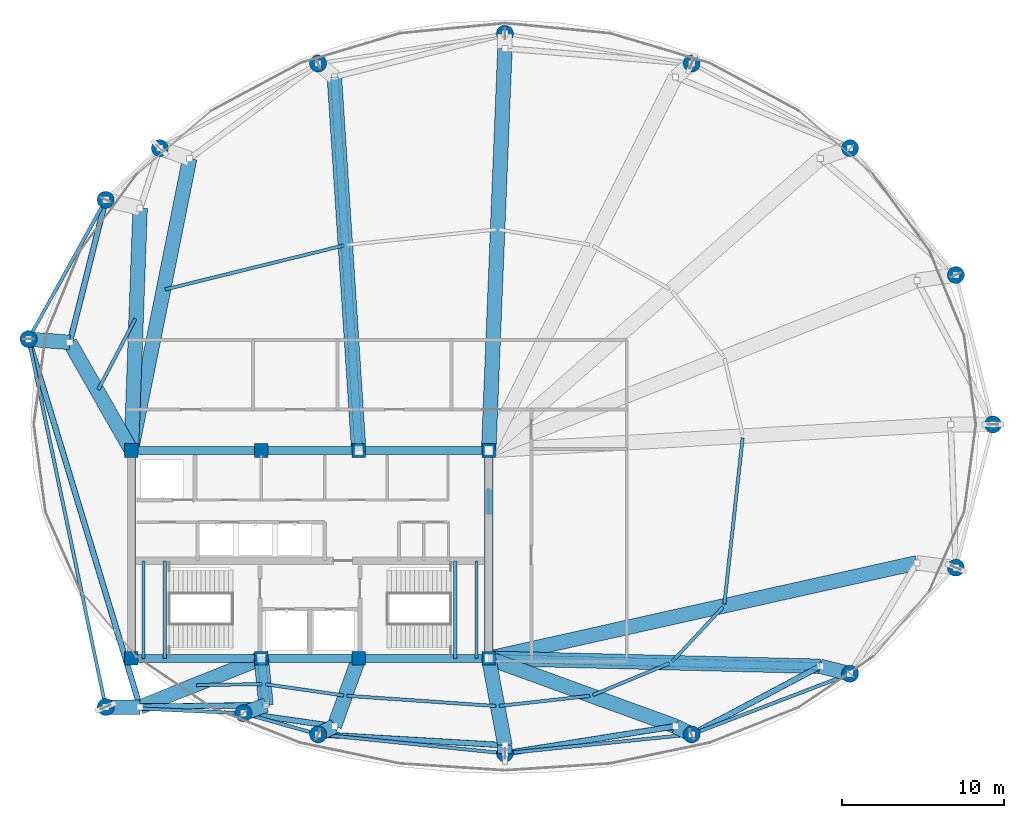
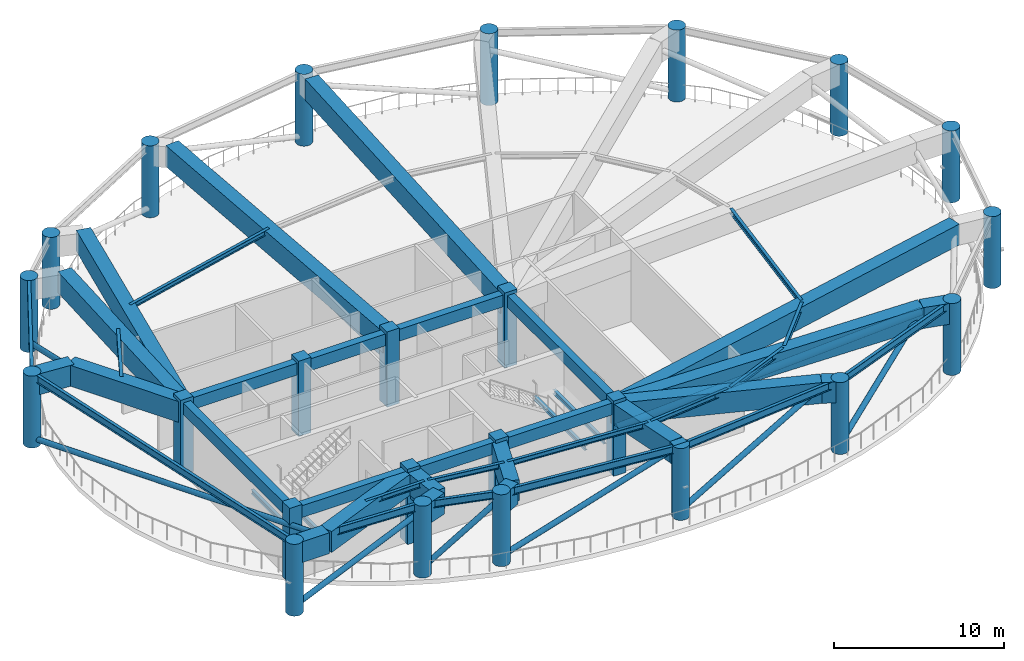
# One storey, part 1 of 9: 47 beams, 24 columns, 10 members.
"""IFC4 building model written with IfcOpenShell, lengths in metres."""

from ifc_helpers import new_model, si_unit, direction, frame, origin, origin_2d, place, context, subcontext, project, spatial, rectangle, circle, hollow_circle, i_section, extrude, material, material_profile, profile_set, type_object, element, save


model = new_model("IFC4")

# Units and contexts
model_context = context("Model", 3, precision=1e-05, world=origin(), true_north=direction((0.0, 1.0)))
body_context = subcontext(model_context, "Body", "Model", "MODEL_VIEW")
ifc_project = project(units=[si_unit("LENGTHUNIT", "METRE"), si_unit("AREAUNIT", "SQUARE_METRE"), si_unit("VOLUMEUNIT", "CUBIC_METRE"), si_unit("PLANEANGLEUNIT", "RADIAN"), si_unit("MASSUNIT", "GRAM", prefix="KILO")], contexts=[model_context])

# Site, building, storey
site_placement = place(None, origin())
site = spatial("IfcSite", under=ifc_project, at=site_placement, CompositionType="ELEMENT")
building_placement = place(site_placement, origin())
building = spatial("IfcBuilding", under=site, at=building_placement, Name="Kazevale Care Tower and Concert Hall", CompositionType="ELEMENT")
storey_placement = place(building_placement, frame((0.0, 0.0, 253.199951171875)))
storey = spatial("IfcBuildingStorey", under=building, at=storey_placement, Name="L67", CompositionType="ELEMENT", Elevation=253.199951171875)

# Columns
ifc_material_1 = material(Name="Concrete C50", Category="concrete")
ifc_material_profile_1 = material_profile(ifc_material_1, rectangle(XDim=0.85009765625, YDim=0.85009765625, at=origin_2d()), Name="RC-SQ850")
ifc_profile_set_1 = profile_set([ifc_material_profile_1], Name="Concrete C50")
column_type_1 = type_object("IfcColumnType", Name="Core Column SQ850 C50", PredefinedType="COLUMN", material=ifc_profile_set_1)
for number, where, z_axis, x_axis, name in (
    (1, (22.0, 23.60009765625, 0.0), (0.0, 0.0, 1.0), (1.0, 0.0, 0.0), "col:L67:CC-01"),
    (2, (30.0, 23.60009765625, 0.0), (0.0, 0.0, 1.0), (1.0, 0.0, 0.0), "col:L67:CC-02"),
    (3, (36.0, 23.60009765625, 0.0), (0.0, 0.0, 1.0), (1.0, 0.0, 0.0), "col:L67:CC-03"),
    (4, (44.0, 23.60009765625, 0.0), (0.0, 0.0, 1.0), (1.0, 0.0, 0.0), "col:L67:CC-04"),
    (5, (44.0, 36.39990234375, 0.0), (0.0, 0.0, 1.0), (1.0, 0.0, 0.0), "col:L67:CC-05"),
    (6, (36.0, 36.39990234375, 0.0), (0.0, 0.0, 1.0), (1.0, 0.0, 0.0), "col:L67:CC-06"),
    (7, (30.0, 36.39990234375, 0.0), (0.0, 0.0, 1.0), (1.0, 0.0, 0.0), "col:L67:CC-07"),
    (8, (22.0, 36.39990234375, 0.0), (0.0, 0.0, 1.0), (1.0, 0.0, 0.0), "col:L67:CC-08"),
):
    element("IfcColumn", number, at=place(storey_placement, frame(where, z_axis=z_axis, x_axis=x_axis)), inside=storey, type_object=column_type_1, Name=name, PredefinedType="COLUMN", context=body_context, shape_type="SweptSolid", body=[
        extrude(rectangle(XDim=0.85009765625, YDim=0.85009765625, at=origin_2d()), origin(), (0.0, 0.0, 1.0), 5.400146484375),
    ])
ifc_material_profile_2 = material_profile(ifc_material_1, circle(Radius=0.52490234375, at=origin_2d()), Name="RC-CIR1050")
ifc_profile_set_2 = profile_set([ifc_material_profile_2], Name="Concrete C50")
column_type_2 = type_object("IfcColumnType", Name="Perimeter Column CIR1050 C50", PredefinedType="COLUMN", material=ifc_profile_set_2)
for number, where, z_axis, x_axis, name in (
    (9, (75.050048828125, 38.0, 0.0), (0.0, 0.0, 1.0), (1.0, 0.0, 0.0), "col:L67:PC-01"),
    (10, (72.760009765625, 47.199951171875, 0.0), (0.0, 0.0, 1.0), (1.0, 0.0, 0.0), "col:L67:PC-02"),
    (11, (66.25, 55.010009765625, 0.0), (0.0, 0.0, 1.0), (1.0, 0.0, 0.0), "col:L67:PC-03"),
    (12, (56.5, 60.219970703125, 0.0), (0.0, 0.0, 1.0), (1.0, 0.0, 0.0), "col:L67:PC-04"),
    (13, (45.0, 62.050048828125, 0.0), (0.0, 0.0, 1.0), (1.0, 0.0, 0.0), "col:L67:PC-05"),
    (14, (33.5, 60.219970703125, 0.0), (0.0, 0.0, 1.0), (1.0, 0.0, 0.0), "col:L67:PC-06"),
    (15, (23.75, 55.010009765625, 0.0), (0.0, 0.0, 1.0), (1.0, 0.0, 0.0), "col:L67:PC-07"),
    (16, (20.419921875, 51.830078125, 0.0), (0.0, 0.0, 1.0), (1.0, 0.0, 0.0), "col:L67:PC-08"),
    (17, (15.669921875, 43.25, 0.0), (0.0, 0.0, 1.0), (1.0, 0.0, 0.0), "col:L67:PC-09"),
    (18, (20.419921875, 20.60009765625, 0.0), (0.0, 0.0, 1.0), (1.0, 0.0, 0.0), "col:L67:PC-10"),
    (19, (28.89990234375, 20.219970703125, 0.0), (0.0, 0.0, 1.0), (1.0, 0.0, 0.0), "col:L67:PC-11"),
    (20, (33.5, 18.919921875, 0.0), (0.0, 0.0, 1.0), (1.0, 0.0, 0.0), "col:L67:PC-12"),
    (21, (45.0, 17.75, 0.0), (0.0, 0.0, 1.0), (1.0, 0.0, 0.0), "col:L67:PC-13"),
    (22, (56.5, 18.919921875, 0.0), (0.0, 0.0, 1.0), (1.0, 0.0, 0.0), "col:L67:PC-14"),
    (23, (66.25, 22.64990234375, 0.0), (0.0, 0.0, 1.0), (1.0, 0.0, 0.0), "col:L67:PC-15"),
    (24, (72.760009765625, 29.179931640625, 0.0), (0.0, 0.0, 1.0), (1.0, 0.0, 0.0), "col:L67:PC-16"),
):
    element("IfcColumn", number, at=place(storey_placement, frame(where, z_axis=z_axis, x_axis=x_axis)), inside=storey, type_object=column_type_2, Name=name, PredefinedType="COLUMN", context=body_context, shape_type="SweptSolid", body=[
        extrude(circle(Radius=0.52490234375, at=origin_2d()), origin(), (0.0, 0.0, 1.0), 5.16015625),
    ])

# Beams
ifc_material_2 = material(Name="Concrete C60", Category="concrete")
ifc_material_profile_3 = material_profile(ifc_material_2, rectangle(XDim=0.5, YDim=0.85009765625, at=origin_2d()), Name="RC-B500x850")
ifc_profile_set_3 = profile_set([ifc_material_profile_3], Name="Concrete C60")
beam_type_1 = type_object("IfcBeamType", Name="Core Coupling Beam RC500x850", PredefinedType="LINTEL", material=ifc_profile_set_3)
beam_1_placement = place(storey_placement, frame((22.0, 23.60009765625, 4.735107421875), z_axis=(1.0, 0.0, 0.0), x_axis=(0.0, 1.0, 0.0)))
element("IfcBeam", 25, at=beam_1_placement, inside=storey, type_object=beam_type_1, Name="beam:L67:coretie:1", PredefinedType="LINTEL", context=body_context, shape_type="SweptSolid", body=[
    extrude(rectangle(XDim=0.5, YDim=0.85009765625, at=origin_2d()), origin(), (0.0, 0.0, 1.0), 8.0),
])
beam_2_placement = place(storey_placement, frame((30.0, 23.60009765625, 4.735107421875), z_axis=(1.0, 0.0, 0.0), x_axis=(0.0, 1.0, 0.0)))
element("IfcBeam", 26, at=beam_2_placement, inside=storey, type_object=beam_type_1, Name="beam:L67:coretie:2", PredefinedType="LINTEL", context=body_context, shape_type="SweptSolid", body=[
    extrude(rectangle(XDim=0.5, YDim=0.85009765625, at=origin_2d()), origin(), (0.0, 0.0, 1.0), 6.0),
])
beam_3_placement = place(storey_placement, frame((36.0, 23.60009765625, 4.735107421875), z_axis=(1.0, 0.0, 0.0), x_axis=(0.0, 1.0, 0.0)))
element("IfcBeam", 27, at=beam_3_placement, inside=storey, type_object=beam_type_1, Name="beam:L67:coretie:3", PredefinedType="LINTEL", context=body_context, shape_type="SweptSolid", body=[
    extrude(rectangle(XDim=0.5, YDim=0.85009765625, at=origin_2d()), origin(), (0.0, 0.0, 1.0), 8.0),
])
beam_4_placement = place(storey_placement, frame((44.0, 23.60009765625, 4.735107421875), z_axis=(0.0, 1.0, 0.0), x_axis=(-1.0, 0.0, 0.0)))
element("IfcBeam", 28, at=beam_4_placement, inside=storey, type_object=beam_type_1, Name="beam:L67:coretie:4", PredefinedType="LINTEL", context=body_context, shape_type="SweptSolid", body=[
    extrude(rectangle(XDim=0.5, YDim=0.85009765625, at=origin_2d()), origin(), (0.0, 0.0, 1.0), 12.7998046875),
])
beam_5_placement = place(storey_placement, frame((44.0, 36.39990234375, 4.735107421875), z_axis=(-1.0, 0.0, 0.0), x_axis=(0.0, -1.0, 0.0)))
element("IfcBeam", 29, at=beam_5_placement, inside=storey, type_object=beam_type_1, Name="beam:L67:coretie:5", PredefinedType="LINTEL", context=body_context, shape_type="SweptSolid", body=[
    extrude(rectangle(XDim=0.5, YDim=0.85009765625, at=origin_2d()), origin(), (0.0, 0.0, 1.0), 8.0),
])
beam_6_placement = place(storey_placement, frame((36.0, 36.39990234375, 4.735107421875), z_axis=(-1.0, 0.0, 0.0), x_axis=(0.0, -1.0, 0.0)))
element("IfcBeam", 30, at=beam_6_placement, inside=storey, type_object=beam_type_1, Name="beam:L67:coretie:6", PredefinedType="LINTEL", context=body_context, shape_type="SweptSolid", body=[
    extrude(rectangle(XDim=0.5, YDim=0.85009765625, at=origin_2d()), origin(), (0.0, 0.0, 1.0), 6.0),
])
beam_7_placement = place(storey_placement, frame((30.0, 36.39990234375, 4.735107421875), z_axis=(-1.0, 0.0, 0.0), x_axis=(0.0, -1.0, 0.0)))
element("IfcBeam", 31, at=beam_7_placement, inside=storey, type_object=beam_type_1, Name="beam:L67:coretie:7", PredefinedType="LINTEL", context=body_context, shape_type="SweptSolid", body=[
    extrude(rectangle(XDim=0.5, YDim=0.85009765625, at=origin_2d()), origin(), (0.0, 0.0, 1.0), 8.0),
])
beam_8_placement = place(storey_placement, frame((22.0, 36.39990234375, 4.735107421875), z_axis=(0.0, -1.0, 0.0), x_axis=(1.0, 0.0, 0.0)))
element("IfcBeam", 32, at=beam_8_placement, inside=storey, type_object=beam_type_1, Name="beam:L67:coretie:8", PredefinedType="LINTEL", context=body_context, shape_type="SweptSolid", body=[
    extrude(rectangle(XDim=0.5, YDim=0.85009765625, at=origin_2d()), origin(), (0.0, 0.0, 1.0), 12.7998046875),
])

# Members
ifc_material_3 = material(Name="Steel ASTM A572 Gr 50", Category="steel")
ifc_material_profile_4 = material_profile(ifc_material_3, hollow_circle(Radius=0.25390625, WallThickness=0.031982421875, at=origin_2d()), Name="CHS508x32")
ifc_profile_set_4 = profile_set([ifc_material_profile_4], Name="Steel ASTM A572 Gr 50")
member_type_1 = type_object("IfcMemberType", Name="Outrigger Diagonal CHS508x32", PredefinedType="BRACE", material=ifc_profile_set_4)
member_1_placement = place(storey_placement, frame((36.0, 36.39990234375, 3.10009765625), z_axis=(-0.064967959604, 0.995741837888, 0.065401502303), x_axis=(-0.997878265446, -0.0651073525, 0.0)))
element("IfcMember", 33, at=member_1_placement, inside=storey, type_object=member_type_1, Name="brace:L67:outrig:2", PredefinedType="BRACE", context=body_context, shape_type="SweptSolid", body=[
    extrude(hollow_circle(Radius=0.25390625, WallThickness=0.031982421875, at=origin_2d()), origin(), (0.0, 0.0, 1.0), 23.08837890625),
])
member_2_placement = place(storey_placement, frame((30.0, 23.60009765625, 3.10009765625), z_axis=(0.088836297676, -0.88215640041, 0.462502105326), x_axis=(0.994967639108, 0.100196792003, 0.0)))
element("IfcMember", 34, at=member_2_placement, inside=storey, type_object=member_type_1, Name="brace:L67:outrig:3", PredefinedType="BRACE", context=body_context, shape_type="SweptSolid", body=[
    extrude(hollow_circle(Radius=0.25390625, WallThickness=0.031982421875, at=origin_2d()), origin(), (0.0, 0.0, 1.0), 3.264892578125),
])
member_3_placement = place(storey_placement, frame((44.0, 23.60009765625, 3.10009765625), z_axis=(0.996988651602, -0.023935169365, 0.073761346549), x_axis=(0.024000548742, 0.999711945342, 0.0)))
element("IfcMember", 35, at=member_3_placement, inside=storey, type_object=member_type_1, Name="brace:L67:outrig:4", PredefinedType="BRACE", context=body_context, shape_type="SweptSolid", body=[
    extrude(hollow_circle(Radius=0.25390625, WallThickness=0.031982421875, at=origin_2d()), origin(), (0.0, 0.0, 1.0), 20.4716796875),
])

# Beams
ifc_material_profile_5 = material_profile(ifc_material_2, rectangle(XDim=0.89990234375, YDim=1.5, at=origin_2d()), Name="RC-TG900x1500")
ifc_profile_set_5 = profile_set([ifc_material_profile_5], Name="Concrete C60")
beam_type_2 = type_object("IfcBeamType", Name="Podium Transfer Girder RC900x1500", PredefinedType="BEAM", material=ifc_profile_set_5)
beam_9_placement = place(storey_placement, frame((44.0, 36.39990234375, 4.41015625), z_axis=(0.040371101203, 0.999184754781, 0.0), x_axis=(-0.999184754781, 0.040371101203, 0.0)))
element("IfcBeam", 36, at=beam_9_placement, inside=storey, type_object=beam_type_2, Name="beam:L67:ztg_in:05", PredefinedType="BEAM", context=body_context, shape_type="SweptSolid", body=[
    extrude(rectangle(XDim=0.89990234375, YDim=1.5, at=origin_2d()), origin(), (0.0, 0.0, 1.0), 24.770263671875),
])
beam_10_placement = place(storey_placement, frame((36.0, 36.39990234375, 4.41015625), z_axis=(-0.0651073525, 0.997878265446, 0.0), x_axis=(-0.997878265446, -0.0651073525, 0.0)))
element("IfcBeam", 37, at=beam_10_placement, inside=storey, type_object=beam_type_2, Name="beam:L67:ztg_in:06", PredefinedType="BEAM", context=body_context, shape_type="SweptSolid", body=[
    extrude(rectangle(XDim=0.89990234375, YDim=1.5, at=origin_2d()), origin(), (0.0, 0.0, 1.0), 23.038818359375),
])
beam_11_placement = place(storey_placement, frame((22.0, 36.39990234375, 4.41015625), z_axis=(0.195908605871, 0.980622158706, 0.0), x_axis=(-0.980622158706, 0.195908605871, 0.0)))
element("IfcBeam", 38, at=beam_11_placement, inside=storey, type_object=beam_type_2, Name="beam:L67:ztg_in:07", PredefinedType="BEAM", context=body_context, shape_type="SweptSolid", body=[
    extrude(rectangle(XDim=0.89990234375, YDim=1.5, at=origin_2d()), origin(), (0.0, 0.0, 1.0), 18.325439453125),
])
beam_12_placement = place(storey_placement, frame((22.0, 36.39990234375, 4.41015625), z_axis=(0.036195810092, 0.999344716968, 0.0), x_axis=(-0.999344716968, 0.036195810092, 0.0)))
element("IfcBeam", 39, at=beam_12_placement, inside=storey, type_object=beam_type_2, Name="beam:L67:ztg_in:08", PredefinedType="BEAM", context=body_context, shape_type="SweptSolid", body=[
    extrude(rectangle(XDim=0.89990234375, YDim=1.5, at=origin_2d()), origin(), (0.0, 0.0, 1.0), 14.919921875),
])
beam_13_placement = place(storey_placement, frame((22.0, 36.39990234375, 4.41015625), z_axis=(-0.495149357892, 0.868807869082, 0.0), x_axis=(-0.868807869082, -0.495149357892, 0.0)))
element("IfcBeam", 40, at=beam_13_placement, inside=storey, type_object=beam_type_2, Name="beam:L67:ztg_in:09", PredefinedType="BEAM", context=body_context, shape_type="SweptSolid", body=[
    extrude(rectangle(XDim=0.89990234375, YDim=1.5, at=origin_2d()), origin(), (0.0, 0.0, 1.0), 7.654296875),
])
beam_14_placement = place(storey_placement, frame((18.2099609375, 43.050048828125, 4.41015625), z_axis=(-0.99691592873, 0.078476945947, 0.0), x_axis=(-0.078476945947, -0.99691592873, 0.0)))
element("IfcBeam", 41, at=beam_14_placement, inside=storey, type_object=beam_type_2, Name="beam:L67:ztg_out:09", PredefinedType="BEAM", context=body_context, shape_type="SweptSolid", body=[
    extrude(rectangle(XDim=0.89990234375, YDim=1.5, at=origin_2d()), origin(), (0.0, 0.0, 1.0), 2.5478515625),
])
beam_15_placement = place(storey_placement, frame((30.0, 23.60009765625, 4.41015625), z_axis=(-0.927788258921, -0.373107151644, 0.0), x_axis=(0.373107151644, -0.927788258921, 0.0)))
element("IfcBeam", 42, at=beam_15_placement, inside=storey, type_object=beam_type_2, Name="beam:L67:ztg_in:10", PredefinedType="BEAM", context=body_context, shape_type="SweptSolid", body=[
    extrude(rectangle(XDim=0.89990234375, YDim=1.5, at=origin_2d()), origin(), (0.0, 0.0, 1.0), 8.04052734375),
])
beam_16_placement = place(storey_placement, frame((22.5400390625, 20.60009765625, 4.41015625), z_axis=(-1.0, 0.0, 0.0), x_axis=(0.0, -1.0, 0.0)))
element("IfcBeam", 43, at=beam_16_placement, inside=storey, type_object=beam_type_2, Name="beam:L67:ztg_out:10", PredefinedType="BEAM", context=body_context, shape_type="SweptSolid", body=[
    extrude(rectangle(XDim=0.89990234375, YDim=1.5, at=origin_2d()), origin(), (0.0, 0.0, 1.0), 2.1201171875),
])
beam_17_placement = place(storey_placement, frame((30.0, 23.60009765625, 4.41015625), z_axis=(0.100196792003, -0.994967639108, 0.0), x_axis=(0.994967639108, 0.100196792003, 0.0)))
element("IfcBeam", 44, at=beam_17_placement, inside=storey, type_object=beam_type_2, Name="beam:L67:ztg_in:11", PredefinedType="BEAM", context=body_context, shape_type="SweptSolid", body=[
    extrude(rectangle(XDim=0.89990234375, YDim=1.5, at=origin_2d()), origin(), (0.0, 0.0, 1.0), 2.894775390625),
])
beam_18_placement = place(storey_placement, frame((30.2900390625, 20.719970703125, 4.41015625), z_axis=(-0.940984281565, -0.338450264954, 0.0), x_axis=(0.338450264954, -0.940984281565, 0.0)))
element("IfcBeam", 45, at=beam_18_placement, inside=storey, type_object=beam_type_2, Name="beam:L67:ztg_out:11", PredefinedType="BEAM", context=body_context, shape_type="SweptSolid", body=[
    extrude(rectangle(XDim=0.89990234375, YDim=1.5, at=origin_2d()), origin(), (0.0, 0.0, 1.0), 1.477294921875),
])
beam_19_placement = place(storey_placement, frame((36.0, 23.60009765625, 4.41015625), z_axis=(-0.33774987593, -0.941235900988, 0.0), x_axis=(0.941235900988, -0.33774987593, 0.0)))
element("IfcBeam", 46, at=beam_19_placement, inside=storey, type_object=beam_type_2, Name="beam:L67:ztg_in:12", PredefinedType="BEAM", context=body_context, shape_type="SweptSolid", body=[
    extrude(rectangle(XDim=0.89990234375, YDim=1.5, at=origin_2d()), origin(), (0.0, 0.0, 1.0), 4.441162109375),
])
beam_20_placement = place(storey_placement, frame((34.5, 19.419921875, 4.41015625), z_axis=(-0.894427191, -0.4472135955, 0.0), x_axis=(0.4472135955, -0.894427191, 0.0)))
element("IfcBeam", 47, at=beam_20_placement, inside=storey, type_object=beam_type_2, Name="beam:L67:ztg_out:12", PredefinedType="BEAM", context=body_context, shape_type="SweptSolid", body=[
    extrude(rectangle(XDim=0.89990234375, YDim=1.5, at=origin_2d()), origin(), (0.0, 0.0, 1.0), 1.117919921875),
])
beam_21_placement = place(storey_placement, frame((44.0, 23.60009765625, 4.41015625), z_axis=(0.183730597003, -0.982976636408, 0.0), x_axis=(0.982976636408, 0.183730597003, 0.0)))
element("IfcBeam", 48, at=beam_21_placement, inside=storey, type_object=beam_type_2, Name="beam:L67:ztg_in:13", PredefinedType="BEAM", context=body_context, shape_type="SweptSolid", body=[
    extrude(rectangle(XDim=0.89990234375, YDim=1.5, at=origin_2d()), origin(), (0.0, 0.0, 1.0), 5.44287109375),
])
beam_22_placement = place(storey_placement, frame((45.0, 18.25, 4.41015625), z_axis=(0.0, -1.0, 0.0), x_axis=(1.0, 0.0, 0.0)))
element("IfcBeam", 49, at=beam_22_placement, inside=storey, type_object=beam_type_2, Name="beam:L67:ztg_out:13", PredefinedType="BEAM", context=body_context, shape_type="SweptSolid", body=[
    extrude(rectangle(XDim=0.89990234375, YDim=1.5, at=origin_2d()), origin(), (0.0, 0.0, 1.0), 0.5),
])
beam_23_placement = place(storey_placement, frame((44.0, 23.60009765625, 4.41015625), z_axis=(0.939836524786, -0.341624511239, 0.0), x_axis=(0.341624511239, 0.939836524786, 0.0)))
element("IfcBeam", 50, at=beam_23_placement, inside=storey, type_object=beam_type_2, Name="beam:L67:ztg_in:14", PredefinedType="BEAM", context=body_context, shape_type="SweptSolid", body=[
    extrude(rectangle(XDim=0.89990234375, YDim=1.5, at=origin_2d()), origin(), (0.0, 0.0, 1.0), 12.236083984375),
])
beam_24_placement = place(storey_placement, frame((55.5, 19.419921875, 4.41015625), z_axis=(0.894427191, -0.4472135955, 0.0), x_axis=(0.4472135955, 0.894427191, 0.0)))
element("IfcBeam", 51, at=beam_24_placement, inside=storey, type_object=beam_type_2, Name="beam:L67:ztg_out:14", PredefinedType="BEAM", context=body_context, shape_type="SweptSolid", body=[
    extrude(rectangle(XDim=0.89990234375, YDim=1.5, at=origin_2d()), origin(), (0.0, 0.0, 1.0), 1.117919921875),
])
beam_25_placement = place(storey_placement, frame((44.0, 23.60009765625, 4.41015625), z_axis=(0.999711945342, -0.024000548742, 0.0), x_axis=(0.024000548742, 0.999711945342, 0.0)))
element("IfcBeam", 52, at=beam_25_placement, inside=storey, type_object=beam_type_2, Name="beam:L67:ztg_in:15", PredefinedType="BEAM", context=body_context, shape_type="SweptSolid", body=[
    extrude(rectangle(XDim=0.89990234375, YDim=1.5, at=origin_2d()), origin(), (0.0, 0.0, 1.0), 20.415771484375),
])
beam_26_placement = place(storey_placement, frame((64.409912109375, 23.110107421875, 4.41015625), z_axis=(0.9701197816, -0.242626481135, 0.0), x_axis=(0.242626481135, 0.9701197816, 0.0)))
element("IfcBeam", 53, at=beam_26_placement, inside=storey, type_object=beam_type_2, Name="beam:L67:ztg_out:15", PredefinedType="BEAM", context=body_context, shape_type="SweptSolid", body=[
    extrude(rectangle(XDim=0.89990234375, YDim=1.5, at=origin_2d()), origin(), (0.0, 0.0, 1.0), 1.896728515625),
])
beam_27_placement = place(storey_placement, frame((44.0, 23.60009765625, 4.41015625), z_axis=(0.976013614534, 0.217709495072, 0.0), x_axis=(-0.217709495072, 0.976013614534, 0.0)))
element("IfcBeam", 54, at=beam_27_placement, inside=storey, type_object=beam_type_2, Name="beam:L67:ztg_in:16", PredefinedType="BEAM", context=body_context, shape_type="SweptSolid", body=[
    extrude(rectangle(XDim=0.89990234375, YDim=1.5, at=origin_2d()), origin(), (0.0, 0.0, 1.0), 27.0078125),
])
ifc_material_profile_6 = material_profile(ifc_material_3, i_section(OverallWidth=0.205078125, OverallDepth=0.35400390625, WebThickness=0.009521484375, FlangeThickness=0.016845703125, at=origin_2d()), Name="W360x79")
ifc_profile_set_6 = profile_set([ifc_material_profile_6], Name="Steel ASTM A572 Gr 50")
beam_type_3 = type_object("IfcBeamType", Name="Secondary Floor Joist W360x79", PredefinedType="JOIST", material=ifc_profile_set_6)
beam_28_placement = place(storey_placement, frame((35.072998046875, 49.01904296875, 4.983154296875), z_axis=(-0.970953581022, -0.239267932452, 0.0), x_axis=(0.239267932452, -0.970953581022, 0.0)))
element("IfcBeam", 55, at=beam_28_placement, inside=storey, type_object=beam_type_3, Name="beam:L67:joist:06", PredefinedType="JOIST", context=body_context, shape_type="SweptSolid", body=[
    extrude(i_section(OverallWidth=0.205078125, OverallDepth=0.35400390625, WebThickness=0.009521484375, FlangeThickness=0.016845703125, at=origin_2d()), origin(), (0.0, 0.0, 1.0), 11.326171875),
])
beam_29_placement = place(storey_placement, frame((22.248046875, 44.508056640625, 4.983154296875), z_axis=(-0.46418126854, -0.885740227119, 0.0), x_axis=(0.885740227119, -0.46418126854, 0.0)))
element("IfcBeam", 56, at=beam_29_placement, inside=storey, type_object=beam_type_3, Name="beam:L67:joist:08", PredefinedType="JOIST", context=body_context, shape_type="SweptSolid", body=[
    extrude(i_section(OverallWidth=0.205078125, OverallDepth=0.35400390625, WebThickness=0.009521484375, FlangeThickness=0.016845703125, at=origin_2d()), origin(), (0.0, 0.0, 1.0), 4.92041015625),
])
beam_30_placement = place(storey_placement, frame((26.001953125, 21.951904296875, 4.983154296875), z_axis=(0.999882971215, 0.015298492542, 0.0), x_axis=(-0.015298492542, 0.999882971215, 0.0)))
element("IfcBeam", 57, at=beam_30_placement, inside=storey, type_object=beam_type_3, Name="beam:L67:joist:10", PredefinedType="JOIST", context=body_context, shape_type="SweptSolid", body=[
    extrude(i_section(OverallWidth=0.205078125, OverallDepth=0.35400390625, WebThickness=0.009521484375, FlangeThickness=0.016845703125, at=origin_2d()), origin(), (0.0, 0.0, 1.0), 4.053466796875),
])
beam_31_placement = place(storey_placement, frame((30.262939453125, 22.0009765625, 4.983154296875), z_axis=(0.99000170599, -0.141055386768, 0.0), x_axis=(0.141055386768, 0.99000170599, 0.0)))
element("IfcBeam", 58, at=beam_31_placement, inside=storey, type_object=beam_type_3, Name="beam:L67:joist:11", PredefinedType="JOIST", context=body_context, shape_type="SweptSolid", body=[
    extrude(i_section(OverallWidth=0.205078125, OverallDepth=0.35400390625, WebThickness=0.009521484375, FlangeThickness=0.016845703125, at=origin_2d()), origin(), (0.0, 0.0, 1.0), 4.856689453125),
])
beam_32_placement = place(storey_placement, frame((35.280029296875, 21.2939453125, 4.983154296875), z_axis=(0.997653920332, -0.068459150207, 0.0), x_axis=(0.068459150207, 0.997653920332, 0.0)))
element("IfcBeam", 59, at=beam_32_placement, inside=storey, type_object=beam_type_3, Name="beam:L67:joist:12", PredefinedType="JOIST", context=body_context, shape_type="SweptSolid", body=[
    extrude(i_section(OverallWidth=0.205078125, OverallDepth=0.35400390625, WebThickness=0.009521484375, FlangeThickness=0.016845703125, at=origin_2d()), origin(), (0.0, 0.0, 1.0), 9.1865234375),
])
beam_33_placement = place(storey_placement, frame((44.654052734375, 20.6689453125, 4.983154296875), z_axis=(0.99385286667, 0.110708985236, 0.0), x_axis=(-0.110708985236, 0.99385286667, 0.0)))
element("IfcBeam", 60, at=beam_33_placement, inside=storey, type_object=beam_type_3, Name="beam:L67:joist:13", PredefinedType="JOIST", context=body_context, shape_type="SweptSolid", body=[
    extrude(i_section(OverallWidth=0.205078125, OverallDepth=0.35400390625, WebThickness=0.009521484375, FlangeThickness=0.016845703125, at=origin_2d()), origin(), (0.0, 0.0, 1.0), 5.601318359375),
])
beam_34_placement = place(storey_placement, frame((50.422119140625, 21.341064453125, 4.983154296875), z_axis=(0.92389590915, 0.382643893268, 0.0), x_axis=(-0.382643893268, 0.92389590915, 0.0)))
element("IfcBeam", 61, at=beam_34_placement, inside=storey, type_object=beam_type_3, Name="beam:L67:joist:14", PredefinedType="JOIST", context=body_context, shape_type="SweptSolid", body=[
    extrude(i_section(OverallWidth=0.205078125, OverallDepth=0.35400390625, WebThickness=0.009521484375, FlangeThickness=0.016845703125, at=origin_2d()), origin(), (0.0, 0.0, 1.0), 5.093505859375),
])
beam_35_placement = place(storey_placement, frame((55.297119140625, 23.406982421875, 4.983154296875), z_axis=(0.682568692562, 0.730821441896, 0.0), x_axis=(-0.730821441896, 0.682568692562, 0.0)))
element("IfcBeam", 62, at=beam_35_placement, inside=storey, type_object=beam_type_3, Name="beam:L67:joist:15", PredefinedType="JOIST", context=body_context, shape_type="SweptSolid", body=[
    extrude(i_section(OverallWidth=0.205078125, OverallDepth=0.35400390625, WebThickness=0.009521484375, FlangeThickness=0.016845703125, at=origin_2d()), origin(), (0.0, 0.0, 1.0), 4.583984375),
])
beam_36_placement = place(storey_placement, frame((58.509033203125, 26.93798828125, 4.983154296875), z_axis=(0.109414251474, 0.993996238209, 0.0), x_axis=(-0.993996238209, 0.109414251474, 0.0)))
element("IfcBeam", 63, at=beam_36_placement, inside=storey, type_object=beam_type_3, Name="beam:L67:joist:16", PredefinedType="JOIST", context=body_context, shape_type="SweptSolid", body=[
    extrude(i_section(OverallWidth=0.205078125, OverallDepth=0.35400390625, WebThickness=0.009521484375, FlangeThickness=0.016845703125, at=origin_2d()), origin(), (0.0, 0.0, 1.0), 10.2998046875),
])
ifc_material_profile_7 = material_profile(ifc_material_3, i_section(OverallWidth=0.202880859375, OverallDepth=0.302978515625, WebThickness=0.007568359375, FlangeThickness=0.01318359375, at=origin_2d()), Name="W310x60")
ifc_profile_set_7 = profile_set([ifc_material_profile_7], Name="Steel ASTM A572 Gr 50")
beam_type_4 = type_object("IfcBeamType", Name="Stair & Balcony Trimmer W310x60", PredefinedType="BEAM", material=ifc_profile_set_7)
for number, where, z_axis, x_axis, name in (
    (64, (22.75, 23.60009765625, 2.3486328125), (0.0, 1.0, 0.0), (-1.0, 0.0, 0.0), "beam:L67:sttrim:ST1"),
    (65, (24.050048828125, 23.60009765625, 2.3486328125), (0.0, 1.0, 0.0), (-1.0, 0.0, 0.0), "beam:L67:sttrim:ST1b"),
    (66, (41.949951171875, 23.60009765625, 2.3486328125), (0.0, 1.0, 0.0), (-1.0, 0.0, 0.0), "beam:L67:sttrim:ST2"),
    (67, (43.25, 23.60009765625, 2.3486328125), (0.0, 1.0, 0.0), (-1.0, 0.0, 0.0), "beam:L67:sttrim:ST2b"),
):
    element("IfcBeam", number, at=place(storey_placement, frame(where, z_axis=z_axis, x_axis=x_axis)), inside=storey, type_object=beam_type_4, Name=name, PredefinedType="BEAM", context=body_context, shape_type="SweptSolid", body=[
        extrude(i_section(OverallWidth=0.202880859375, OverallDepth=0.302978515625, WebThickness=0.007568359375, FlangeThickness=0.01318359375, at=origin_2d()), origin(), (0.0, 0.0, 1.0), 6.0),
    ])

# Members
ifc_material_profile_8 = material_profile(ifc_material_3, hollow_circle(Radius=0.177734375, WallThickness=0.02490234375, at=origin_2d()), Name="CHS356x25")
ifc_profile_set_8 = profile_set([ifc_material_profile_8], Name="Steel ASTM A572 Gr 50")
member_type_2 = type_object("IfcMemberType", Name="Upper Belt Diagonal CHS356x25", PredefinedType="BRACE", material=ifc_profile_set_8)
member_4_placement = place(storey_placement, frame((20.419921875, 51.830078125, 0.400146484375), z_axis=(-0.221332095309, -0.879337841757, 0.421636174492), x_axis=(0.969752637393, -0.244089783213, 0.0)))
element("IfcMember", 68, at=member_4_placement, inside=storey, type_object=member_type_2, Name="brace:L67:belt:08", PredefinedType="BRACE", context=body_context, shape_type="SweptSolid", body=[
    extrude(hollow_circle(Radius=0.177734375, WallThickness=0.02490234375, at=origin_2d()), origin(), (0.0, 0.0, 1.0), 9.98486328125),
])
member_5_placement = place(storey_placement, frame((15.669921875, 43.25, 0.400146484375), z_axis=(0.285773947564, -0.94216034866, 0.175120325224), x_axis=(0.956948029388, 0.29025931346, 0.0)))
element("IfcMember", 69, at=member_5_placement, inside=storey, type_object=member_type_2, Name="brace:L67:belt:09", PredefinedType="BRACE", context=body_context, shape_type="SweptSolid", body=[
    extrude(hollow_circle(Radius=0.177734375, WallThickness=0.02490234375, at=origin_2d()), origin(), (0.0, 0.0, 1.0), 24.040283203125),
])
member_6_placement = place(storey_placement, frame((20.419921875, 20.60009765625, 0.400146484375), z_axis=(0.919764134245, 0.011170579547, 0.392312573734), x_axis=(-0.012144152375, 0.999926257063, 0.0)))
element("IfcMember", 70, at=member_6_placement, inside=storey, type_object=member_type_2, Name="brace:L67:belt:10", PredefinedType="BRACE", context=body_context, shape_type="SweptSolid", body=[
    extrude(hollow_circle(Radius=0.177734375, WallThickness=0.02490234375, at=origin_2d()), origin(), (0.0, 0.0, 1.0), 10.731201171875),
])
member_7_placement = place(storey_placement, frame((28.89990234375, 20.219970703125, 0.400146484375), z_axis=(0.794160813115, -0.113456490739, 0.597022803268), x_axis=(0.141427398296, 0.989948630491, 0.0)))
element("IfcMember", 71, at=member_7_placement, inside=storey, type_object=member_type_2, Name="brace:L67:belt:11", PredefinedType="BRACE", context=body_context, shape_type="SweptSolid", body=[
    extrude(hollow_circle(Radius=0.177734375, WallThickness=0.02490234375, at=origin_2d()), origin(), (0.0, 0.0, 1.0), 7.051513671875),
])
member_8_placement = place(storey_placement, frame((33.5, 18.919921875, 0.400146484375), z_axis=(0.937651263815, -0.054622008065, 0.343258712492), x_axis=(0.058155483258, 0.998307537669, 0.0)))
element("IfcMember", 72, at=member_8_placement, inside=storey, type_object=member_type_2, Name="brace:L67:belt:12", PredefinedType="BRACE", context=body_context, shape_type="SweptSolid", body=[
    extrude(hollow_circle(Radius=0.177734375, WallThickness=0.02490234375, at=origin_2d()), origin(), (0.0, 0.0, 1.0), 12.2646484375),
])
member_9_placement = place(storey_placement, frame((45.0, 17.75, 0.400146484375), z_axis=(0.91822231024, 0.146034240189, 0.368160005529), x_axis=(-0.157066184433, 0.987588078962, 0.0)))
element("IfcMember", 73, at=member_9_placement, inside=storey, type_object=member_type_2, Name="brace:L67:belt:13", PredefinedType="BRACE", context=body_context, shape_type="SweptSolid", body=[
    extrude(hollow_circle(Radius=0.177734375, WallThickness=0.02490234375, at=origin_2d()), origin(), (0.0, 0.0, 1.0), 11.43505859375),
])
member_10_placement = place(storey_placement, frame((56.5, 18.919921875, 0.400146484375), z_axis=(0.799641601702, 0.42360100034, 0.425600166047), x_axis=(-0.468113273162, 0.883668469218, 0.0)))
element("IfcMember", 74, at=member_10_placement, inside=storey, type_object=member_type_2, Name="brace:L67:belt:14", PredefinedType="BRACE", context=body_context, shape_type="SweptSolid", body=[
    extrude(hollow_circle(Radius=0.177734375, WallThickness=0.02490234375, at=origin_2d()), origin(), (0.0, 0.0, 1.0), 9.891845703125),
])

# Beams
ifc_material_profile_9 = material_profile(ifc_material_3, i_section(OverallWidth=0.208984375, OverallDepth=0.532958984375, WebThickness=0.01025390625, FlangeThickness=0.015625, at=origin_2d()), Name="W530x92")
ifc_profile_set_9 = profile_set([ifc_material_profile_9], Name="Steel ASTM A572 Gr 50")
beam_type_5 = type_object("IfcBeamType", Name="Upper Ring Beam W530x92", PredefinedType="BEAM", material=ifc_profile_set_9)
beam_37_placement = place(storey_placement, frame((20.419921875, 51.830078125, 4.8935546875), z_axis=(-0.484340382014, -0.874879645637, 0.0), x_axis=(0.874879645637, -0.484340382014, 0.0)))
element("IfcBeam", 75, at=beam_37_placement, inside=storey, type_object=beam_type_5, Name="beam:L67:ring:08", PredefinedType="BEAM", context=body_context, shape_type="SweptSolid", body=[
    extrude(i_section(OverallWidth=0.208984375, OverallDepth=0.532958984375, WebThickness=0.01025390625, FlangeThickness=0.015625, at=origin_2d()), origin(), (0.0, 0.0, 1.0), 9.80712890625),
])
beam_38_placement = place(storey_placement, frame((15.669921875, 43.25, 4.8935546875), z_axis=(0.205249071222, -0.978709772488, 0.0), x_axis=(0.978709772488, 0.205249071222, 0.0)))
element("IfcBeam", 76, at=beam_38_placement, inside=storey, type_object=beam_type_5, Name="beam:L67:ring:09", PredefinedType="BEAM", context=body_context, shape_type="SweptSolid", body=[
    extrude(i_section(OverallWidth=0.208984375, OverallDepth=0.532958984375, WebThickness=0.01025390625, FlangeThickness=0.015625, at=origin_2d()), origin(), (0.0, 0.0, 1.0), 23.142578125),
])
beam_39_placement = place(storey_placement, frame((20.419921875, 20.60009765625, 4.8935546875), z_axis=(0.998996808771, -0.044781425441, 0.0), x_axis=(0.044781425441, 0.998996808771, 0.0)))
element("IfcBeam", 77, at=beam_39_placement, inside=storey, type_object=beam_type_5, Name="beam:L67:ring:10", PredefinedType="BEAM", context=body_context, shape_type="SweptSolid", body=[
    extrude(i_section(OverallWidth=0.208984375, OverallDepth=0.532958984375, WebThickness=0.01025390625, FlangeThickness=0.015625, at=origin_2d()), origin(), (0.0, 0.0, 1.0), 8.488525390625),
])
beam_40_placement = place(storey_placement, frame((28.89990234375, 20.219970703125, 4.8935546875), z_axis=(0.962308240836, -0.271961117846, 0.0), x_axis=(0.271961117846, 0.962308240836, 0.0)))
element("IfcBeam", 78, at=beam_40_placement, inside=storey, type_object=beam_type_5, Name="beam:L67:ring:11", PredefinedType="BEAM", context=body_context, shape_type="SweptSolid", body=[
    extrude(i_section(OverallWidth=0.208984375, OverallDepth=0.532958984375, WebThickness=0.01025390625, FlangeThickness=0.015625, at=origin_2d()), origin(), (0.0, 0.0, 1.0), 4.7802734375),
])
for number, where, z_axis, x_axis, name in (
    (79, (33.5, 18.919921875, 4.8935546875), (0.994865089307, -0.101209950492, 0.0), (0.101209950492, 0.994865089307, 0.0), "beam:L67:ring:12"),
    (80, (45.0, 17.75, 4.8935546875), (0.994865089307, 0.101209950492, 0.0), (-0.101209950492, 0.994865089307, 0.0), "beam:L67:ring:13"),
):
    element("IfcBeam", number, at=place(storey_placement, frame(where, z_axis=z_axis, x_axis=x_axis)), inside=storey, type_object=beam_type_5, Name=name, PredefinedType="BEAM", context=body_context, shape_type="SweptSolid", body=[
        extrude(i_section(OverallWidth=0.208984375, OverallDepth=0.532958984375, WebThickness=0.01025390625, FlangeThickness=0.015625, at=origin_2d()), origin(), (0.0, 0.0, 1.0), 11.559326171875),
    ])
beam_41_placement = place(storey_placement, frame((56.5, 18.919921875, 4.8935546875), z_axis=(0.933986653173, 0.357307894811, 0.0), x_axis=(-0.357307894811, 0.933986653173, 0.0)))
element("IfcBeam", 81, at=beam_41_placement, inside=storey, type_object=beam_type_5, Name="beam:L67:ring:14", PredefinedType="BEAM", context=body_context, shape_type="SweptSolid", body=[
    extrude(i_section(OverallWidth=0.208984375, OverallDepth=0.532958984375, WebThickness=0.01025390625, FlangeThickness=0.015625, at=origin_2d()), origin(), (0.0, 0.0, 1.0), 10.439208984375),
])

save(model, "model.ifc")
